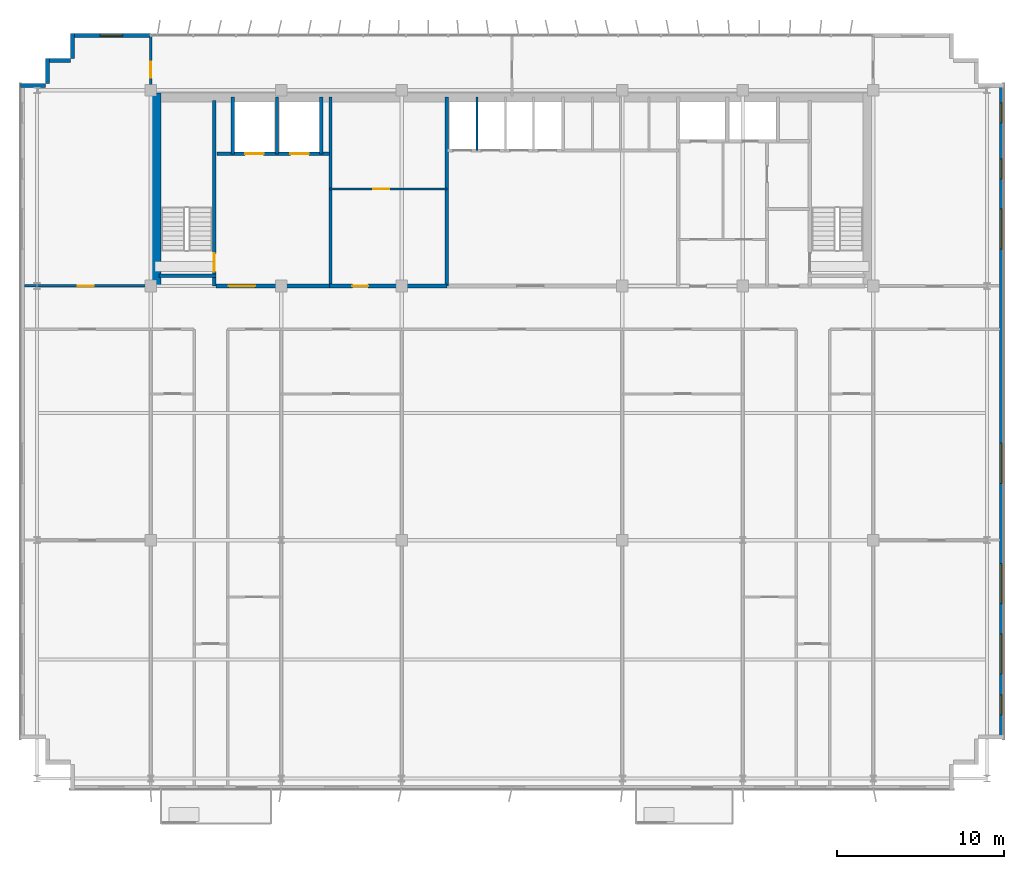
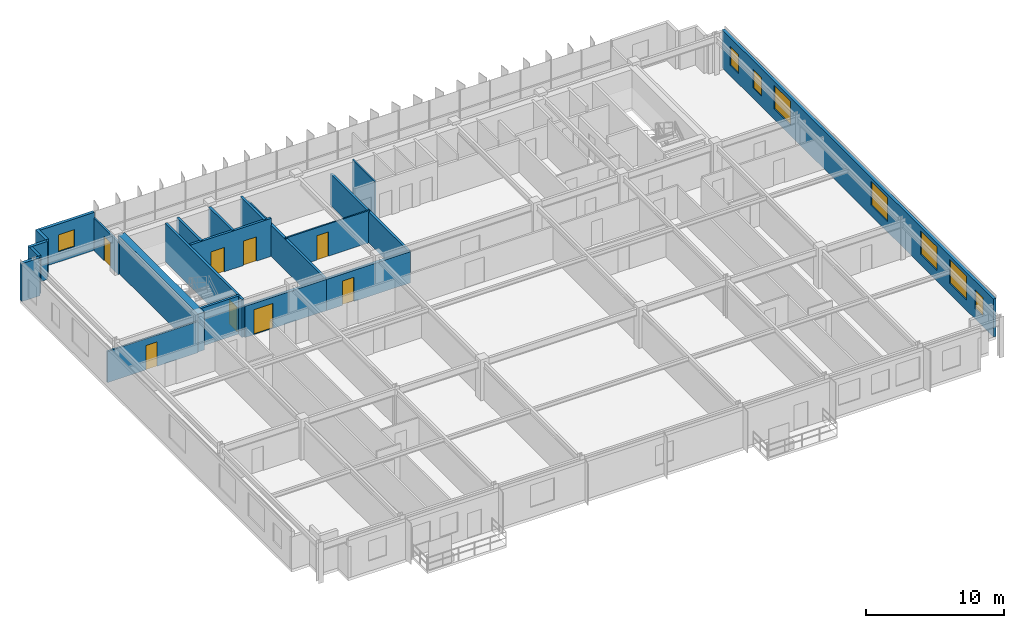
# One storey, part 16 of 20: 21 walls, 8 doors, 8 windows, 16 openings.
"""IFC4 building model written with IfcOpenShell, lengths in metres."""

from ifc_helpers import new_model, si_unit, direction, frame, frame_2d, origin, place, context, subcontext, project, spatial, rectangle, extrude, source, transform, mapped, material, layer, layer_set, type_object, element, fill, save


model = new_model("IFC4")

# Units and contexts
model_context = context("Model", 3, precision=1e-05, world=origin(), true_north=direction((0.0, 1.0)))
body_context = subcontext(model_context, "Body", "Model", "MODEL_VIEW")
ifc_project = project(units=[si_unit("LENGTHUNIT", "METRE"), si_unit("AREAUNIT", "SQUARE_METRE"), si_unit("VOLUMEUNIT", "CUBIC_METRE"), si_unit("PLANEANGLEUNIT", "RADIAN"), si_unit("MASSUNIT", "GRAM", prefix="KILO")], contexts=[model_context])

# Site, building, storey
site_placement = place(None, origin())
site = spatial("IfcSite", under=ifc_project, at=site_placement, CompositionType="ELEMENT")
building_placement = place(site_placement, origin())
building = spatial("IfcBuilding", under=site, at=building_placement, Name="Trelvane Seafront Commons", CompositionType="ELEMENT")
storey_placement = place(building_placement, frame((0.0, 0.0, 142.89990234375)))
storey = spatial("IfcBuildingStorey", under=building, at=storey_placement, Name="L37", CompositionType="ELEMENT", Elevation=142.89990234375)

# Wall, opening, window
ifc_material_1 = material(Name="Precast concrete C40/50", Category="concrete")
ifc_layer_1 = layer(ifc_material_1, 0.239990234375, Name="ARCH-WALL-EXT240")
ifc_layer_set_1 = layer_set([ifc_layer_1], Name="Precast concrete C40/50")
wall_type_1 = type_object("IfcWallType", Name="ARCH-WALL-EXT240", PredefinedType="SOLIDWALL", material=ifc_layer_set_1)
wall_1_placement = place(storey_placement, frame((10.89990234375, 48.3701171875, 0.0), z_axis=(0.0, 0.0, 1.0), x_axis=(1.0, 0.0, 0.0)))
wall_1 = element("IfcWall", 1, at=wall_1_placement, inside=storey, type_object=wall_type_1, Name="EW-L37-NW-0716", PredefinedType="SOLIDWALL", context=body_context, shape_type="SweptSolid", body=[
    extrude(rectangle(XDim=4.7001953125, YDim=0.239990234375, at=frame_2d((2.35009765625, 0.0))), origin(), (0.0, 0.0, 1.0), 3.35009765625),
])
opening_1_placement = place(wall_1_placement, frame((1.675048828125, 0.0, 0.89990234375)))
opening_1 = element("IfcOpeningElement", 2, at=opening_1_placement, cuts=wall_1, Name="Opening W09", PredefinedType="OPENING", context=body_context, shape_type="SweptSolid", body=[
    extrude(rectangle(XDim=1.35009765625, YDim=1.5, at=frame_2d((0.675048828125, 0.75))), frame((0.0, 0.1298828125, 0.0), z_axis=(0.0, -1.0, 0.0), x_axis=(1.0, 0.0, 0.0)), (0.0, 0.0, 1.0), 0.260009765625),
])
ifc_material_2 = material(Name="Low-E coastal double glazing", Category="glass")
window_type_1 = type_object("IfcWindowType", Name="ARCH-WIN-W09", PartitioningType="SINGLE_PANEL", PredefinedType="WINDOW", material=ifc_material_2)
shared_shape_1 = source(origin(), body_context, "Body", "SweptSolid", [
    extrude(rectangle(XDim=1.35009765625, YDim=1.5, at=frame_2d((0.675048828125, 0.75))), frame((0.0, 0.030029296875, 0.0), z_axis=(0.0, -1.0, 0.0), x_axis=(1.0, 0.0, 0.0)), (0.0, 0.0, 1.0), 0.06005859375),
])
window_1_placement = place(opening_1_placement, origin())
window_1 = element("IfcWindow", 3, at=window_1_placement, inside=storey, type_object=window_type_1, Name="WIN-L37-00850", OverallHeight=1.5, OverallWidth=1.35009765625, PartitioningType="SINGLE_PANEL", PredefinedType="WINDOW", context=body_context, shape_type="MappedRepresentation", body=[
    mapped(shared_shape_1, transform((0.0, 0.0, 0.0), x_axis=(1.0, 0.0, 0.0), y_axis=(0.0, 1.0, 0.0), z_axis=(0.0, 0.0, 1.0), scale=1.0)),
])
fill(opening_1, window_1)

# Walls
for number, where, z_axis, x_axis, name in (
    (4, (7.800048828125, 45.3798828125, 0.0), (0.0, 0.0, 1.0), (1.0, 0.0, 0.0), "EW-L37-00722"),
    (5, (9.419921875, 45.5, 0.0), (0.0, 0.0, 1.0), (0.0, 1.0, 0.0), "EW-L37-00723"),
    (6, (9.300048828125, 46.8798828125, 0.0), (0.0, 0.0, 1.0), (1.0, 0.0, 0.0), "EW-L37-00724"),
    (7, (10.919921875, 47.0, 0.0), (0.0, 0.0, 1.0), (0.0, 1.0, 0.0), "EW-L37-00725"),
):
    element("IfcWall", number, at=place(storey_placement, frame(where, z_axis=z_axis, x_axis=x_axis)), inside=storey, type_object=wall_type_1, Name=name, PredefinedType="SOLIDWALL", context=body_context, shape_type="SweptSolid", body=[
        extrude(rectangle(XDim=1.5, YDim=0.239990234375, at=frame_2d((0.75, 0.0))), origin(), (0.0, 0.0, 1.0), 3.35009765625),
    ])

# Wall, openings, windows
wall_2_placement = place(storey_placement, frame((66.47998046875, 45.5, 0.0), z_axis=(0.0, 0.0, 1.0), x_axis=(0.0, -1.0, 0.0)))
wall_2 = element("IfcWall", 8, at=wall_2_placement, inside=storey, type_object=wall_type_1, Name="EW-L37-00730", PredefinedType="SOLIDWALL", context=body_context, shape_type="SweptSolid", body=[
    extrude(rectangle(XDim=39.199951171875, YDim=0.239990234375, at=frame_2d((19.60009765625, 0.0))), origin(), (0.0, 0.0, 1.0), 3.35009765625),
])
opening_2_placement = place(wall_2_placement, frame((36.550048828125, 0.0, 0.919921875)))
opening_2 = element("IfcOpeningElement", 9, at=opening_2_placement, cuts=wall_2, Name="Opening W05", PredefinedType="OPENING", context=body_context, shape_type="SweptSolid", body=[
    extrude(rectangle(XDim=1.199951171875, YDim=1.64990234375, at=frame_2d((0.60009765625, 0.824951171875))), frame((0.0, 0.1298828125, 0.0), z_axis=(0.0, -1.0, 0.0), x_axis=(1.0, 0.0, 0.0)), (0.0, 0.0, 1.0), 0.260009765625),
])
opening_3_placement = place(wall_2_placement, frame((32.89990234375, 0.0, 0.919921875)))
opening_3 = element("IfcOpeningElement", 10, at=opening_3_placement, cuts=wall_2, Name="Opening W08", PredefinedType="OPENING", context=body_context, shape_type="SweptSolid", body=[
    extrude(rectangle(XDim=2.39990234375, YDim=2.10009765625, at=frame_2d((1.199951171875, 1.050048828125))), frame((0.0, 0.1298828125, 0.0), z_axis=(0.0, -1.0, 0.0), x_axis=(1.0, 0.0, 0.0)), (0.0, 0.0, 1.0), 0.260009765625),
])
opening_4_placement = place(wall_2_placement, frame((28.699951171875, 0.0, 0.919921875)))
opening_4 = element("IfcOpeningElement", 11, at=opening_4_placement, cuts=wall_2, Name="Opening W08", PredefinedType="OPENING", context=body_context, shape_type="SweptSolid", body=[
    extrude(rectangle(XDim=2.39990234375, YDim=2.10009765625, at=frame_2d((1.199951171875, 1.050048828125))), frame((0.0, 0.1298828125, 0.0), z_axis=(0.0, -1.0, 0.0), x_axis=(1.0, 0.0, 0.0)), (0.0, 0.0, 1.0), 0.260009765625),
])
opening_5_placement = place(wall_2_placement, frame((21.5, 0.0, 0.919921875)))
opening_5 = element("IfcOpeningElement", 12, at=opening_5_placement, cuts=wall_2, Name="Opening W08", PredefinedType="OPENING", context=body_context, shape_type="SweptSolid", body=[
    extrude(rectangle(XDim=2.39990234375, YDim=2.10009765625, at=frame_2d((1.199951171875, 1.050048828125))), frame((0.0, 0.1298828125, 0.0), z_axis=(0.0, -1.0, 0.0), x_axis=(1.0, 0.0, 0.0)), (0.0, 0.0, 1.0), 0.260009765625),
])
opening_6_placement = place(wall_2_placement, frame((7.5, 0.0, 0.919921875)))
opening_6 = element("IfcOpeningElement", 13, at=opening_6_placement, cuts=wall_2, Name="Opening W08", PredefinedType="OPENING", context=body_context, shape_type="SweptSolid", body=[
    extrude(rectangle(XDim=2.39990234375, YDim=2.10009765625, at=frame_2d((1.199951171875, 1.050048828125))), frame((0.0, 0.1298828125, 0.0), z_axis=(0.0, -1.0, 0.0), x_axis=(1.0, 0.0, 0.0)), (0.0, 0.0, 1.0), 0.260009765625),
])
opening_7_placement = place(wall_2_placement, frame((4.5, 0.0, 0.919921875)))
opening_7 = element("IfcOpeningElement", 14, at=opening_7_placement, cuts=wall_2, Name="Opening W05", PredefinedType="OPENING", context=body_context, shape_type="SweptSolid", body=[
    extrude(rectangle(XDim=1.199951171875, YDim=1.64990234375, at=frame_2d((0.60009765625, 0.824951171875))), frame((0.0, 0.1298828125, 0.0), z_axis=(0.0, -1.0, 0.0), x_axis=(1.0, 0.0, 0.0)), (0.0, 0.0, 1.0), 0.260009765625),
])
opening_8_placement = place(wall_2_placement, frame((1.14990234375, 0.0, 0.919921875)))
opening_8 = element("IfcOpeningElement", 15, at=opening_8_placement, cuts=wall_2, Name="Opening W05", PredefinedType="OPENING", context=body_context, shape_type="SweptSolid", body=[
    extrude(rectangle(XDim=1.199951171875, YDim=1.64990234375, at=frame_2d((0.60009765625, 0.824951171875))), frame((0.0, 0.1298828125, 0.0), z_axis=(0.0, -1.0, 0.0), x_axis=(1.0, 0.0, 0.0)), (0.0, 0.0, 1.0), 0.260009765625),
])
window_type_2 = type_object("IfcWindowType", Name="ARCH-WIN-W08", PartitioningType="SINGLE_PANEL", PredefinedType="WINDOW", material=ifc_material_2)
shared_shape_2 = source(origin(), body_context, "Body", "SweptSolid", [
    extrude(rectangle(XDim=2.39990234375, YDim=2.10009765625, at=frame_2d((1.199951171875, 1.050048828125))), frame((0.0, 0.030029296875, 0.0), z_axis=(0.0, -1.0, 0.0), x_axis=(1.0, 0.0, 0.0)), (0.0, 0.0, 1.0), 0.06005859375),
])
window_2_placement = place(opening_3_placement, origin())
window_2 = element("IfcWindow", 16, at=window_2_placement, inside=storey, type_object=window_type_2, Name="WIN-L37-EW-00860", OverallHeight=2.10009765625, OverallWidth=2.39990234375, PartitioningType="SINGLE_PANEL", PredefinedType="WINDOW", context=body_context, shape_type="MappedRepresentation", body=[
    mapped(shared_shape_2, transform((0.0, 0.0, 0.0), x_axis=(1.0, 0.0, 0.0), y_axis=(0.0, 1.0, 0.0), z_axis=(0.0, 0.0, 1.0), scale=1.0)),
])
fill(opening_3, window_2)
window_3_placement = place(opening_4_placement, origin())
window_3 = element("IfcWindow", 17, at=window_3_placement, inside=storey, type_object=window_type_2, Name="WIN-L37-EW-00861", OverallHeight=2.10009765625, OverallWidth=2.39990234375, PartitioningType="SINGLE_PANEL", PredefinedType="WINDOW", context=body_context, shape_type="MappedRepresentation", body=[
    mapped(shared_shape_2, transform((0.0, 0.0, 0.0), x_axis=(1.0, 0.0, 0.0), y_axis=(0.0, 1.0, 0.0), z_axis=(0.0, 0.0, 1.0), scale=1.0)),
])
fill(opening_4, window_3)
window_4_placement = place(opening_5_placement, origin())
window_4 = element("IfcWindow", 18, at=window_4_placement, inside=storey, type_object=window_type_2, Name="WIN-L37-EW-00862", OverallHeight=2.10009765625, OverallWidth=2.39990234375, PartitioningType="SINGLE_PANEL", PredefinedType="WINDOW", context=body_context, shape_type="MappedRepresentation", body=[
    mapped(shared_shape_2, transform((0.0, 0.0, 0.0), x_axis=(1.0, 0.0, 0.0), y_axis=(0.0, 1.0, 0.0), z_axis=(0.0, 0.0, 1.0), scale=1.0)),
])
fill(opening_5, window_4)
window_5_placement = place(opening_6_placement, origin())
window_5 = element("IfcWindow", 19, at=window_5_placement, inside=storey, type_object=window_type_2, Name="WIN-L37-EW-00863", OverallHeight=2.10009765625, OverallWidth=2.39990234375, PartitioningType="SINGLE_PANEL", PredefinedType="WINDOW", context=body_context, shape_type="MappedRepresentation", body=[
    mapped(shared_shape_2, transform((0.0, 0.0, 0.0), x_axis=(1.0, 0.0, 0.0), y_axis=(0.0, 1.0, 0.0), z_axis=(0.0, 0.0, 1.0), scale=1.0)),
])
fill(opening_6, window_5)
window_type_3 = type_object("IfcWindowType", Name="ARCH-WIN-W05", PartitioningType="SINGLE_PANEL", PredefinedType="WINDOW", material=ifc_material_2)
shared_shape_3 = source(origin(), body_context, "Body", "SweptSolid", [
    extrude(rectangle(XDim=1.199951171875, YDim=1.64990234375, at=frame_2d((0.60009765625, 0.824951171875))), frame((0.0, 0.030029296875, 0.0), z_axis=(0.0, -1.0, 0.0), x_axis=(1.0, 0.0, 0.0)), (0.0, 0.0, 1.0), 0.06005859375),
])
window_6_placement = place(opening_2_placement, origin())
window_6 = element("IfcWindow", 20, at=window_6_placement, inside=storey, type_object=window_type_3, Name="WIN-L37-EW-00859", OverallHeight=1.64990234375, OverallWidth=1.199951171875, PartitioningType="SINGLE_PANEL", PredefinedType="WINDOW", context=body_context, shape_type="MappedRepresentation", body=[
    mapped(shared_shape_3, transform((0.0, 0.0, 0.0), x_axis=(1.0, 0.0, 0.0), y_axis=(0.0, 1.0, 0.0), z_axis=(0.0, 0.0, 1.0), scale=1.0)),
])
fill(opening_2, window_6)
window_7_placement = place(opening_7_placement, origin())
window_7 = element("IfcWindow", 21, at=window_7_placement, inside=storey, type_object=window_type_3, Name="WIN-L37-EW-00864", OverallHeight=1.64990234375, OverallWidth=1.199951171875, PartitioningType="SINGLE_PANEL", PredefinedType="WINDOW", context=body_context, shape_type="MappedRepresentation", body=[
    mapped(shared_shape_3, transform((0.0, 0.0, 0.0), x_axis=(1.0, 0.0, 0.0), y_axis=(0.0, 1.0, 0.0), z_axis=(0.0, 0.0, 1.0), scale=1.0)),
])
fill(opening_7, window_7)
window_8_placement = place(opening_8_placement, origin())
window_8 = element("IfcWindow", 22, at=window_8_placement, inside=storey, type_object=window_type_3, Name="WIN-L37-EW-00865", OverallHeight=1.64990234375, OverallWidth=1.199951171875, PartitioningType="SINGLE_PANEL", PredefinedType="WINDOW", context=body_context, shape_type="MappedRepresentation", body=[
    mapped(shared_shape_3, transform((0.0, 0.0, 0.0), x_axis=(1.0, 0.0, 0.0), y_axis=(0.0, 1.0, 0.0), z_axis=(0.0, 0.0, 1.0), scale=1.0)),
])
fill(opening_8, window_8)

# Wall, opening, door
ifc_material_3 = material(Name="Concrete C40/50", Category="concrete")
ifc_layer_2 = layer(ifc_material_3, 0.25, Name="ARCH-WALL-FIRE250")
ifc_layer_set_2 = layer_set([ifc_layer_2], Name="Concrete C40/50")
wall_type_2 = type_object("IfcWallType", Name="ARCH-WALL-FIRE250", PredefinedType="PARTITIONING", material=ifc_layer_set_2)
wall_3_placement = place(storey_placement, frame((19.5, 33.39990234375, 0.0), z_axis=(0.0, 0.0, 1.0), x_axis=(1.0, 0.0, 0.0)))
wall_3 = element("IfcWall", 23, at=wall_3_placement, inside=storey, type_object=wall_type_2, Name="W-L37-CS-FFL-013", PredefinedType="PARTITIONING", context=body_context, shape_type="SweptSolid", body=[
    extrude(rectangle(XDim=6.800048828125, YDim=0.25, at=frame_2d((3.39990234375, 0.0))), origin(), (0.0, 0.0, 1.0), 2.75),
])
opening_9_placement = place(wall_3_placement, frame((0.75, 0.0, 0.0)))
opening_9 = element("IfcOpeningElement", 24, at=opening_9_placement, cuts=wall_3, Name="Opening FD-L37-05", PredefinedType="OPENING", context=body_context, shape_type="SweptSolid", body=[
    extrude(rectangle(XDim=1.60009765625, YDim=2.199951171875, at=frame_2d((0.800048828125, 1.10009765625))), frame((0.0, 0.135009765625, 0.0), z_axis=(0.0, -1.0, 0.0), x_axis=(1.0, 0.0, 0.0)), (0.0, 0.0, 1.0), 0.27001953125),
])
ifc_material_4 = material(Name="Powder-coated aluminium frame", Category="aluminium")
door_type_1 = type_object("IfcDoorType", Name="ARCH-DR-FD60-1600", OperationType="DOUBLE_DOOR_SINGLE_SWING", PredefinedType="DOOR", material=ifc_material_4)
shared_shape_4 = source(origin(), body_context, "Body", "SweptSolid", [
    extrude(rectangle(XDim=1.60009765625, YDim=2.199951171875, at=frame_2d((0.800048828125, 1.10009765625))), frame((0.0, 0.02490234375, 0.0), z_axis=(0.0, -1.0, 0.0), x_axis=(1.0, 0.0, 0.0)), (0.0, 0.0, 1.0), 0.050048828125),
])
door_1_placement = place(opening_9_placement, origin())
door_1 = element("IfcDoor", 25, at=door_1_placement, inside=storey, type_object=door_type_1, Name="L37 Firefighting Lift Lobby Double Fire Door", OperationType="DOUBLE_DOOR_SINGLE_SWING", OverallHeight=2.199951171875, OverallWidth=1.60009765625, PredefinedType="DOOR", context=body_context, shape_type="MappedRepresentation", body=[
    mapped(shared_shape_4, transform((0.0, 0.0, 0.0), x_axis=(1.0, 0.0, 0.0), y_axis=(0.0, 1.0, 0.0), z_axis=(0.0, 0.0, 1.0), scale=1.0)),
])
fill(opening_9, door_1)

wall_4_placement = place(storey_placement, frame((26.300048828125, 33.39990234375, 0.0), z_axis=(0.0, 0.0, 1.0), x_axis=(1.0, 0.0, 0.0)))
wall_4 = element("IfcWall", 26, at=wall_4_placement, inside=storey, type_object=wall_type_2, Name="W-L37-CS-FPL-026", PredefinedType="PARTITIONING", context=body_context, shape_type="SweptSolid", body=[
    extrude(rectangle(XDim=7.0, YDim=0.25, at=frame_2d((3.5, 0.0))), origin(), (0.0, 0.0, 1.0), 2.75),
])
opening_10_placement = place(wall_4_placement, frame((1.35009765625, 0.0, 0.0)))
opening_10 = element("IfcOpeningElement", 27, at=opening_10_placement, cuts=wall_4, Name="Opening D-L37-11", PredefinedType="OPENING", context=body_context, shape_type="SweptSolid", body=[
    extrude(rectangle(XDim=0.949951171875, YDim=2.14990234375, at=frame_2d((0.47509765625, 1.074951171875))), frame((0.0, 0.135009765625, 0.0), z_axis=(0.0, -1.0, 0.0), x_axis=(1.0, 0.0, 0.0)), (0.0, 0.0, 1.0), 0.27001953125),
])
ifc_material_5 = material(Name="Acoustic timber door leaf", Category="wood")
door_type_2 = type_object("IfcDoorType", Name="ARCH-DR-INT950", OperationType="NOTDEFINED", PredefinedType="DOOR", material=ifc_material_5)
shared_shape_5 = source(origin(), body_context, "Body", "SweptSolid", [
    extrude(rectangle(XDim=0.949951171875, YDim=2.14990234375, at=frame_2d((0.47509765625, 1.074951171875))), frame((0.0, 0.02490234375, 0.0), z_axis=(0.0, -1.0, 0.0), x_axis=(1.0, 0.0, 0.0)), (0.0, 0.0, 1.0), 0.050048828125),
])
door_2_placement = place(opening_10_placement, origin())
door_2 = element("IfcDoor", 28, at=door_2_placement, inside=storey, type_object=door_type_2, Name="L37 Floor Pantry Entrance Door", OperationType="SINGLE_SWING_LEFT", OverallHeight=2.14990234375, OverallWidth=0.949951171875, PredefinedType="DOOR", context=body_context, shape_type="MappedRepresentation", body=[
    mapped(shared_shape_5, transform((0.0, 0.0, 0.0), x_axis=(1.0, 0.0, 0.0), y_axis=(0.0, 1.0, 0.0), z_axis=(0.0, 0.0, 1.0), scale=1.0)),
])
fill(opening_10, door_2)

ifc_material_6 = material(Name="Gypsum Drywall Acoustic Partition")
ifc_layer_3 = layer(ifc_material_6, 0.1201171875, Name="ARCH-WALL-PART120")
ifc_layer_set_3 = layer_set([ifc_layer_3], Name="Gypsum Drywall Acoustic Partition")
wall_type_3 = type_object("IfcWallType", Name="ARCH-WALL-PART120", PredefinedType="PARTITIONING", material=ifc_layer_set_3)
wall_5_placement = place(storey_placement, frame((26.300048828125, 39.199951171875, 0.0), z_axis=(0.0, 0.0, 1.0), x_axis=(1.0, 0.0, 0.0)))
wall_5 = element("IfcWall", 29, at=wall_5_placement, inside=storey, type_object=wall_type_3, Name="W-L37-FREED-PL-MID-014", PredefinedType="PARTITIONING", context=body_context, shape_type="SweptSolid", body=[
    extrude(rectangle(XDim=7.0, YDim=0.1201171875, at=frame_2d((3.5, 0.0))), origin(), (0.0, 0.0, 1.0), 2.85009765625),
])
opening_11_placement = place(wall_5_placement, frame((2.60009765625, 0.0, 0.0)))
opening_11 = element("IfcOpeningElement", 30, at=opening_11_placement, cuts=wall_5, Name="Opening D-L37-06", PredefinedType="OPENING", context=body_context, shape_type="SweptSolid", body=[
    extrude(rectangle(XDim=0.949951171875, YDim=2.14990234375, at=frame_2d((0.47509765625, 1.074951171875))), frame((0.0, 0.070068359375, 0.0), z_axis=(0.0, -1.0, 0.0), x_axis=(1.0, 0.0, 0.0)), (0.0, 0.0, 1.0), 0.14013671875),
])
door_3_placement = place(opening_11_placement, origin())
door_3 = element("IfcDoor", 31, at=door_3_placement, inside=storey, type_object=door_type_2, Name="L37 Housekeeping Store Door", OperationType="SINGLE_SWING_RIGHT", OverallHeight=2.14990234375, OverallWidth=0.949951171875, PredefinedType="DOOR", context=body_context, shape_type="MappedRepresentation", body=[
    mapped(shared_shape_5, transform((0.0, 0.0, 0.0), x_axis=(1.0, 0.0, 0.0), y_axis=(0.0, 1.0, 0.0), z_axis=(0.0, 0.0, 1.0), scale=1.0)),
])
fill(opening_11, door_3)

# Wall
wall_6_placement = place(storey_placement, frame((35.10009765625, 41.5, 0.0), z_axis=(0.0, 0.0, 1.0), x_axis=(0.0, 1.0, 0.0)))
element("IfcWall", 32, at=wall_6_placement, inside=storey, type_object=wall_type_3, Name="W-L37-PM-DIV1-017", PredefinedType="PARTITIONING", context=body_context, shape_type="SweptSolid", body=[
    extrude(rectangle(XDim=3.199951171875, YDim=0.1201171875, at=frame_2d((1.60009765625, 0.0))), origin(), (0.0, 0.0, 1.0), 3.35009765625),
])

# Wall, opening, door
ifc_layer_4 = layer(ifc_material_6, 0.14990234375, Name="ARCH-WALL-PART150")
ifc_layer_set_4 = layer_set([ifc_layer_4], Name="Gypsum Drywall Acoustic Partition")
wall_type_4 = type_object("IfcWallType", Name="ARCH-WALL-PART150", PredefinedType="PARTITIONING", material=ifc_layer_set_4)
wall_7_placement = place(storey_placement, frame((8.050048828125, 33.39990234375, 0.0), z_axis=(0.0, 0.0, 1.0), x_axis=(1.0, 0.0, 0.0)))
wall_7 = element("IfcWall", 33, at=wall_7_placement, inside=storey, type_object=wall_type_4, Name="W-L37-NW-ENT-036", PredefinedType="PARTITIONING", context=body_context, shape_type="SweptSolid", body=[
    extrude(rectangle(XDim=7.550048828125, YDim=0.14990234375, at=frame_2d((3.77490234375, 0.0))), origin(), (0.0, 0.0, 1.0), 2.75),
])
opening_12_placement = place(wall_7_placement, frame((3.199951171875, 0.0, 0.0)))
opening_12 = element("IfcOpeningElement", 34, at=opening_12_placement, cuts=wall_7, Name="Opening FD-L37-20", PredefinedType="OPENING", context=body_context, shape_type="SweptSolid", body=[
    extrude(rectangle(XDim=0.949951171875, YDim=2.14990234375, at=frame_2d((0.47509765625, 1.074951171875))), frame((0.0, 0.0849609375, 0.0), z_axis=(0.0, -1.0, 0.0), x_axis=(1.0, 0.0, 0.0)), (0.0, 0.0, 1.0), 0.169921875),
])
door_type_3 = type_object("IfcDoorType", Name="ARCH-DR-FD60-950", OperationType="NOTDEFINED", PredefinedType="DOOR", material=ifc_material_4)
door_4_placement = place(opening_12_placement, origin())
door_4 = element("IfcDoor", 35, at=door_4_placement, inside=storey, type_object=door_type_3, Name="L37 NW Suite Entrance Door", OperationType="SINGLE_SWING_RIGHT", OverallHeight=2.14990234375, OverallWidth=0.949951171875, PredefinedType="DOOR", context=body_context, shape_type="MappedRepresentation", body=[
    mapped(shared_shape_5, transform((0.0, 0.0, 0.0), x_axis=(1.0, 0.0, 0.0), y_axis=(0.0, 1.0, 0.0), z_axis=(0.0, 0.0, 1.0), scale=1.0)),
])
fill(opening_12, door_4)

wall_8_placement = place(storey_placement, frame((15.60009765625, 44.75, 0.0), z_axis=(0.0, 0.0, 1.0), x_axis=(0.0, 1.0, 0.0)))
wall_8 = element("IfcWall", 36, at=wall_8_placement, inside=storey, type_object=wall_type_4, Name="W-L37-N-LINK-W-039", PredefinedType="PARTITIONING", context=body_context, shape_type="SweptSolid", body=[
    extrude(rectangle(XDim=3.610107421875, YDim=0.14990234375, at=frame_2d((1.80517578125, 0.0))), origin(), (0.0, 0.0, 1.0), 2.85009765625),
])
opening_13_placement = place(wall_8_placement, frame((1.10009765625, 0.0, 0.0)))
opening_13 = element("IfcOpeningElement", 37, at=opening_13_placement, cuts=wall_8, Name="Opening FD-L37-23", PredefinedType="OPENING", context=body_context, shape_type="SweptSolid", body=[
    extrude(rectangle(XDim=0.949951171875, YDim=2.14990234375, at=frame_2d((0.47509765625, 1.074951171875))), frame((0.0, 0.0849609375, 0.0), z_axis=(0.0, -1.0, 0.0), x_axis=(1.0, 0.0, 0.0)), (0.0, 0.0, 1.0), 0.169921875),
])
door_5_placement = place(opening_13_placement, origin())
door_5 = element("IfcDoor", 38, at=door_5_placement, inside=storey, type_object=door_type_3, Name="L37 Door 23", OperationType="SINGLE_SWING_LEFT", OverallHeight=2.14990234375, OverallWidth=0.949951171875, PredefinedType="DOOR", context=body_context, shape_type="MappedRepresentation", body=[
    mapped(shared_shape_5, transform((0.0, 0.0, 0.0), x_axis=(1.0, 0.0, 0.0), y_axis=(0.0, 1.0, 0.0), z_axis=(0.0, 0.0, 1.0), scale=1.0)),
])
fill(opening_13, door_5)

# Wall, openings, doors
ifc_layer_5 = layer(ifc_material_3, 0.199951171875, Name="ARCH-WALL-SHAFT200")
ifc_layer_set_5 = layer_set([ifc_layer_5], Name="Concrete C40/50")
wall_type_5 = type_object("IfcWallType", Name="ARCH-WALL-SHAFT200", PredefinedType="SOLIDWALL", material=ifc_layer_set_5)
wall_9_placement = place(storey_placement, frame((19.550048828125, 41.300048828125, 0.0), z_axis=(0.0, 0.0, 1.0), x_axis=(1.0, 0.0, 0.0)))
wall_9 = element("IfcWall", 39, at=wall_9_placement, inside=storey, type_object=wall_type_5, Name="W-L37-FFL-FRONT-008", PredefinedType="SOLIDWALL", context=body_context, shape_type="SweptSolid", body=[
    extrude(rectangle(XDim=6.75, YDim=0.199951171875, at=frame_2d((3.375, 0.0))), origin(), (0.0, 0.0, 1.0), 3.35009765625),
])
opening_14_placement = place(wall_9_placement, frame((1.699951171875, 0.0, 0.0)))
opening_14 = element("IfcOpeningElement", 40, at=opening_14_placement, cuts=wall_9, Name="Opening LD-FF1-L37", PredefinedType="OPENING", context=body_context, shape_type="SweptSolid", body=[
    extrude(rectangle(XDim=1.10009765625, YDim=2.14990234375, at=frame_2d((0.550048828125, 1.074951171875))), frame((0.0, 0.10986328125, 0.0), z_axis=(0.0, -1.0, 0.0), x_axis=(1.0, 0.0, 0.0)), (0.0, 0.0, 1.0), 0.219970703125),
])
opening_15_placement = place(wall_9_placement, frame((4.39990234375, 0.0, 0.0)))
opening_15 = element("IfcOpeningElement", 41, at=opening_15_placement, cuts=wall_9, Name="Opening LD-FF2-L37", PredefinedType="OPENING", context=body_context, shape_type="SweptSolid", body=[
    extrude(rectangle(XDim=1.10009765625, YDim=2.14990234375, at=frame_2d((0.550048828125, 1.074951171875))), frame((0.0, 0.10986328125, 0.0), z_axis=(0.0, -1.0, 0.0), x_axis=(1.0, 0.0, 0.0)), (0.0, 0.0, 1.0), 0.219970703125),
])
ifc_material_7 = material(Name="Stainless steel balustrade", Category="steel")
door_type_4 = type_object("IfcDoorType", Name="ARCH-DR-LD1100", OperationType="DOUBLE_DOOR_SLIDING", PredefinedType="DOOR", material=ifc_material_7)
shared_shape_6 = source(origin(), body_context, "Body", "SweptSolid", [
    extrude(rectangle(XDim=1.10009765625, YDim=2.14990234375, at=frame_2d((0.550048828125, 1.074951171875))), frame((0.0, 0.02490234375, 0.0), z_axis=(0.0, -1.0, 0.0), x_axis=(1.0, 0.0, 0.0)), (0.0, 0.0, 1.0), 0.050048828125),
])
door_6_placement = place(opening_14_placement, origin())
door_6 = element("IfcDoor", 42, at=door_6_placement, inside=storey, type_object=door_type_4, Name="L37 Firefighting Lift FFL-1 Landing Door", OperationType="DOUBLE_DOOR_SLIDING", OverallHeight=2.14990234375, OverallWidth=1.10009765625, PredefinedType="DOOR", context=body_context, shape_type="MappedRepresentation", body=[
    mapped(shared_shape_6, transform((0.0, 0.0, 0.0), x_axis=(1.0, 0.0, 0.0), y_axis=(0.0, 1.0, 0.0), z_axis=(0.0, 0.0, 1.0), scale=1.0)),
])
fill(opening_14, door_6)
door_7_placement = place(opening_15_placement, origin())
door_7 = element("IfcDoor", 43, at=door_7_placement, inside=storey, type_object=door_type_4, Name="L37 Firefighting Lift FFL-2 Landing Door", OperationType="DOUBLE_DOOR_SLIDING", OverallHeight=2.14990234375, OverallWidth=1.10009765625, PredefinedType="DOOR", context=body_context, shape_type="MappedRepresentation", body=[
    mapped(shared_shape_6, transform((0.0, 0.0, 0.0), x_axis=(1.0, 0.0, 0.0), y_axis=(0.0, 1.0, 0.0), z_axis=(0.0, 0.0, 1.0), scale=1.0)),
])
fill(opening_15, door_7)

# Walls
for number, where, z_axis, x_axis, name in (
    (44, (20.5, 41.300048828125, 0.0), (0.0, 0.0, 1.0), (0.0, 1.0, 0.0), "W-L37-FFL-SH-W-009"),
    (45, (23.14990234375, 41.300048828125, 0.0), (0.0, 0.0, 1.0), (0.0, 1.0, 0.0), "W-L37-FFL-DIV-010"),
    (46, (25.800048828125, 41.300048828125, 0.0), (0.0, 0.0, 1.0), (0.0, 1.0, 0.0), "W-L37-FFL-SH-E-011"),
):
    element("IfcWall", number, at=place(storey_placement, frame(where, z_axis=z_axis, x_axis=x_axis)), inside=storey, type_object=wall_type_5, Name=name, PredefinedType="SOLIDWALL", context=body_context, shape_type="SweptSolid", body=[
        extrude(rectangle(XDim=3.39990234375, YDim=0.199951171875, at=frame_2d((1.699951171875, 0.0))), origin(), (0.0, 0.0, 1.0), 3.35009765625),
    ])
for number, where, z_axis, x_axis, name in (
    (47, (26.35009765625, 33.39990234375, 0.0), (0.0, 0.0, 1.0), (0.0, 1.0, 0.0), "W-L37-FFL-EAST-012"),
    (48, (33.300048828125, 33.39990234375, 0.0), (0.0, 0.0, 1.0), (0.0, 1.0, 0.0), "W-L37-FREED-PL-E-015"),
):
    element("IfcWall", number, at=place(storey_placement, frame(where, z_axis=z_axis, x_axis=x_axis)), inside=storey, type_object=wall_type_5, Name=name, PredefinedType="SOLIDWALL", context=body_context, shape_type="SweptSolid", body=[
        extrude(rectangle(XDim=11.300048828125, YDim=0.199951171875, at=frame_2d((5.64990234375, 0.0))), origin(), (0.0, 0.0, 1.0), 2.75),
    ])
ifc_material_8 = material(Name="Concrete C50/60", Category="concrete")
ifc_layer_6 = layer(ifc_material_8, 0.550048828125, Name="STR-WALL-CORE550")
ifc_layer_set_6 = layer_set([ifc_layer_6], Name="Concrete C50/60")
wall_type_6 = type_object("IfcWallType", Name="STR-WALL-CORE550", PredefinedType="SHEAR", material=ifc_layer_set_6)
wall_10_placement = place(storey_placement, frame((15.925048828125, 33.39990234375, 0.0), z_axis=(0.0, 0.0, 1.0), x_axis=(0.0, 1.0, 0.0)))
element("IfcWall", 49, at=wall_10_placement, inside=storey, type_object=wall_type_6, Name="W-L37-CW-END-002", PredefinedType="SHEAR", context=body_context, shape_type="SweptSolid", body=[
    extrude(rectangle(XDim=11.550048828125, YDim=0.550048828125, at=frame_2d((5.77490234375, 0.0))), origin(), (0.0, 0.0, 1.0), 3.35009765625),
])
ifc_layer_7 = layer(ifc_material_8, 0.199951171875, Name="STR-WALL-STAIR200")
ifc_layer_set_7 = layer_set([ifc_layer_7], Name="Concrete C50/60")
wall_type_7 = type_object("IfcWallType", Name="STR-WALL-STAIR200", PredefinedType="SHEAR", material=ifc_layer_set_7)
wall_11_placement = place(storey_placement, frame((16.10009765625, 34.0, 0.0), z_axis=(0.0, 0.0, 1.0), x_axis=(1.0, 0.0, 0.0)))
element("IfcWall", 50, at=wall_11_placement, inside=storey, type_object=wall_type_7, Name="W-L37-ST1-S-004", PredefinedType="SHEAR", context=body_context, shape_type="SweptSolid", body=[
    extrude(rectangle(XDim=3.39990234375, YDim=0.199951171875, at=frame_2d((1.699951171875, 0.0))), origin(), (0.0, 0.0, 1.0), 3.35009765625),
])

# Wall, opening, door
wall_12_placement = place(storey_placement, frame((19.39990234375, 33.39990234375, 0.0), z_axis=(0.0, 0.0, 1.0), x_axis=(0.0, 1.0, 0.0)))
wall_12 = element("IfcWall", 51, at=wall_12_placement, inside=storey, type_object=wall_type_7, Name="W-L37-ST1-E-005", PredefinedType="SHEAR", context=body_context, shape_type="SweptSolid", body=[
    extrude(rectangle(XDim=11.10009765625, YDim=0.199951171875, at=frame_2d((5.550048828125, 0.0))), origin(), (0.0, 0.0, 1.0), 3.35009765625),
])
opening_16_placement = place(wall_12_placement, frame((0.85009765625, 0.0, 0.0)))
opening_16 = element("IfcOpeningElement", 52, at=opening_16_placement, cuts=wall_12, Name="Opening ST-D1-L37", PredefinedType="OPENING", context=body_context, shape_type="SweptSolid", body=[
    extrude(rectangle(XDim=1.10009765625, YDim=2.14990234375, at=frame_2d((0.550048828125, 1.074951171875))), frame((0.0, 0.10986328125, 0.0), z_axis=(0.0, -1.0, 0.0), x_axis=(1.0, 0.0, 0.0)), (0.0, 0.0, 1.0), 0.219970703125),
])
door_type_5 = type_object("IfcDoorType", Name="ARCH-DR-FD90-1100", OperationType="NOTDEFINED", PredefinedType="DOOR", material=ifc_material_4)
door_8_placement = place(opening_16_placement, origin())
door_8 = element("IfcDoor", 53, at=door_8_placement, inside=storey, type_object=door_type_5, Name="L37 Stair ST-1 Lobby Fire Door", OperationType="SINGLE_SWING_LEFT", OverallHeight=2.14990234375, OverallWidth=1.10009765625, PredefinedType="DOOR", context=body_context, shape_type="MappedRepresentation", body=[
    mapped(shared_shape_6, transform((0.0, 0.0, 0.0), x_axis=(1.0, 0.0, 0.0), y_axis=(0.0, 1.0, 0.0), z_axis=(0.0, 0.0, 1.0), scale=1.0)),
])
fill(opening_16, door_8)

save(model, "model.ifc")
